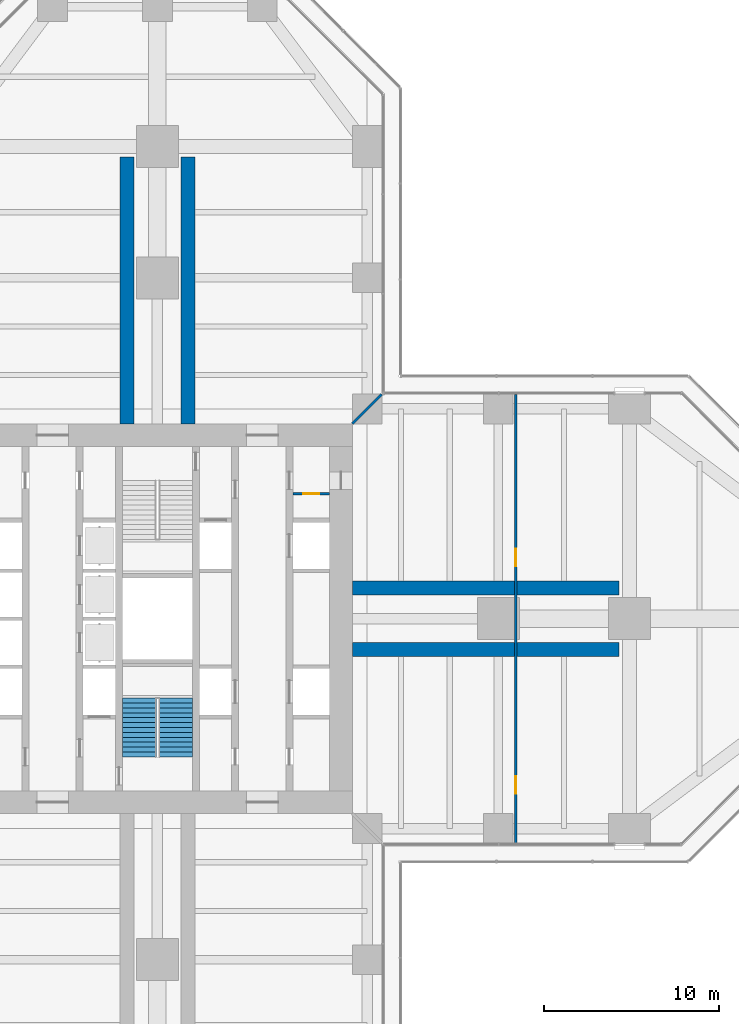
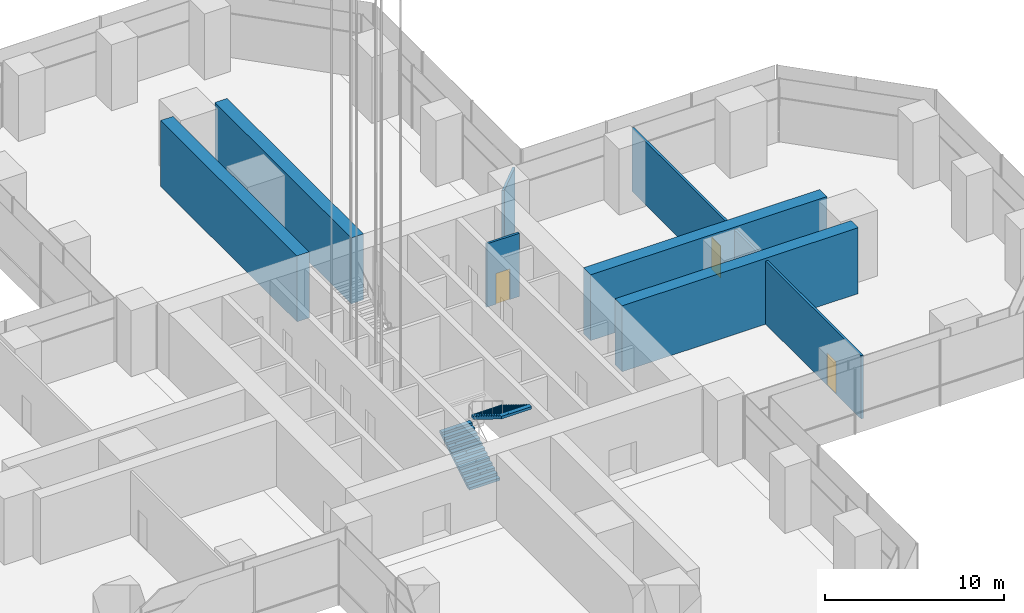
# One storey, part 18 of 27: 7 walls, 3 doors, 2 stair flights, 3 openings, 1 element without a shape of its own.
"""IFC4 building model written with IfcOpenShell, lengths in metres."""

from ifc_helpers import new_model, si_unit, direction, frame, frame_2d, origin, place, context, subcontext, project, spatial, polyline, rectangle, outline, extrude, material, layer, layer_set, type_object, element, fill, aggregate, save


model = new_model("IFC4")

# Units and contexts
model_context = context("Model", 3, precision=1e-05, world=origin(), true_north=direction((0.0, 1.0)))
body_context = subcontext(model_context, "Body", "Model", "MODEL_VIEW")
ifc_project = project(units=[si_unit("LENGTHUNIT", "METRE"), si_unit("AREAUNIT", "SQUARE_METRE"), si_unit("VOLUMEUNIT", "CUBIC_METRE"), si_unit("PLANEANGLEUNIT", "RADIAN"), si_unit("MASSUNIT", "GRAM", prefix="KILO")], contexts=[model_context])

# Site, building, storey
site_placement = place(None, origin())
site = spatial("IfcSite", under=ifc_project, at=site_placement, CompositionType="ELEMENT")
building_placement = place(site_placement, origin())
building = spatial("IfcBuilding", under=site, at=building_placement, Name="Mizan Broadcast Tower", CompositionType="ELEMENT")
storey_placement = place(building_placement, frame((0.0, 0.0, 113.699951171875)))
storey = spatial("IfcBuildingStorey", under=building, at=storey_placement, Name="L25", CompositionType="ELEMENT", Elevation=113.699951171875)

# Wall, opening, door
ifc_material_1 = material(Name="Concrete blockwork", Category="masonry")
ifc_layer_1 = layer(ifc_material_1, 0.14990234375)
ifc_layer_set_1 = layer_set([ifc_layer_1], Name="Concrete blockwork")
wall_type_1 = type_object("IfcWallType", Name="CORE PARTITION 150", PredefinedType="SOLIDWALL", material=ifc_layer_set_1)
wall_1_placement = place(storey_placement, frame((9.85009765625, 7.14990234375, 0.0), z_axis=(0.0, 0.0, 1.0), x_axis=(-1.0, 0.0, 0.0)))
wall_1 = element("IfcWall", 1, at=wall_1_placement, inside=storey, type_object=wall_type_1, Name="Core partition CORE/XPE", PredefinedType="SOLIDWALL", context=body_context, shape_type="SweptSolid", body=[
    extrude(rectangle(XDim=2.10009765625, YDim=0.14990234375, at=frame_2d((1.050048828125, 0.0))), origin(), (0.0, 0.0, 1.0), 4.320068359375),
])
opening_1_placement = place(wall_1_placement, frame((0.60009765625, 0.0, 0.0)))
opening_1 = element("IfcOpeningElement", 2, at=opening_1_placement, cuts=wall_1, Name="Opening D09F", PredefinedType="OPENING", context=body_context, shape_type="SweptSolid", body=[
    extrude(rectangle(XDim=0.89990234375, YDim=2.10009765625, at=frame_2d((0.449951171875, 1.050048828125))), frame((0.0, 0.0849609375, 0.0), z_axis=(0.0, -1.0, 0.0), x_axis=(1.0, 0.0, 0.0)), (0.0, 0.0, 1.0), 0.169921875),
])
ifc_material_2 = material(Name="Steel door leaf in steel frame", Category="steel")
door_type_1 = type_object("IfcDoorType", Name="CORE ROOM DOOR 900 FD90", OperationType="SINGLE_SWING_LEFT", PredefinedType="DOOR", material=ifc_material_2)
door_1_placement = place(opening_1_placement, origin())
door_1 = element("IfcDoor", 3, at=door_1_placement, inside=storey, type_object=door_type_1, Name="Comms cupboard door", OperationType="SINGLE_SWING_RIGHT", OverallHeight=2.10009765625, OverallWidth=0.89990234375, PredefinedType="DOOR", context=body_context, shape_type="SweptSolid", body=[
    extrude(rectangle(XDim=0.89990234375, YDim=2.10009765625, at=frame_2d((0.449951171875, 1.050048828125))), frame((0.0, 0.02490234375, 0.0), z_axis=(0.0, -1.0, 0.0), x_axis=(1.0, 0.0, 0.0)), (0.0, 0.0, 1.0), 0.050048828125),
])
fill(opening_1, door_1)

# Wall, openings, doors
ifc_material_3 = material(Name="Gypsum board on steel studs", Category="steel")
ifc_layer_2 = layer(ifc_material_3, 0.14990234375)
ifc_layer_set_2 = layer_set([ifc_layer_2], Name="Gypsum board on steel studs")
wall_type_2 = type_object("IfcWallType", Name="PARTITION 150", PredefinedType="PARTITIONING", material=ifc_layer_set_2)
wall_2_placement = place(storey_placement, frame((20.5, -12.820068359375, 0.0), z_axis=(0.0, 0.0, 1.0), x_axis=(0.0, 1.0, 0.0)))
wall_2 = element("IfcWall", 4, at=wall_2_placement, inside=storey, type_object=wall_type_2, Name="Partition PT/EX1", PredefinedType="PARTITIONING", context=body_context, shape_type="SweptSolid", body=[
    extrude(rectangle(XDim=25.64013671875, YDim=0.14990234375, at=frame_2d((12.820068359375, 0.0))), origin(), (0.0, 0.0, 1.0), 4.320068359375),
])
opening_2_placement = place(wall_2_placement, frame((15.820068359375, 0.0, 0.0)))
opening_2 = element("IfcOpeningElement", 5, at=opening_2_placement, cuts=wall_2, Name="Opening D10", PredefinedType="OPENING", context=body_context, shape_type="SweptSolid", body=[
    extrude(rectangle(XDim=1.0, YDim=2.199951171875, at=frame_2d((0.5, 1.10009765625))), frame((0.0, 0.0849609375, 0.0), z_axis=(0.0, -1.0, 0.0), x_axis=(1.0, 0.0, 0.0)), (0.0, 0.0, 1.0), 0.169921875),
])
opening_3_placement = place(wall_2_placement, frame((2.820068359375, 0.0, 0.0)))
opening_3 = element("IfcOpeningElement", 6, at=opening_3_placement, cuts=wall_2, Name="Opening D10", PredefinedType="OPENING", context=body_context, shape_type="SweptSolid", body=[
    extrude(rectangle(XDim=1.0, YDim=2.199951171875, at=frame_2d((0.5, 1.10009765625))), frame((0.0, 0.0849609375, 0.0), z_axis=(0.0, -1.0, 0.0), x_axis=(1.0, 0.0, 0.0)), (0.0, 0.0, 1.0), 0.169921875),
])
ifc_material_4 = material(Name="Timber door leaf in aluminium frame", Category="wood")
door_type_2 = type_object("IfcDoorType", Name="ROOM DOOR 1000", OperationType="SINGLE_SWING_LEFT", PredefinedType="DOOR", material=ifc_material_4)
door_2_placement = place(opening_2_placement, origin())
door_2 = element("IfcDoor", 7, at=door_2_placement, inside=storey, type_object=door_type_2, Name="Business centre office door", OperationType="SINGLE_SWING_RIGHT", OverallHeight=2.199951171875, OverallWidth=1.0, PredefinedType="DOOR", context=body_context, shape_type="SweptSolid", body=[
    extrude(rectangle(XDim=1.0, YDim=2.199951171875, at=frame_2d((0.5, 1.10009765625))), frame((0.0, 0.02490234375, 0.0), z_axis=(0.0, -1.0, 0.0), x_axis=(1.0, 0.0, 0.0)), (0.0, 0.0, 1.0), 0.050048828125),
])
fill(opening_2, door_2)
door_3_placement = place(opening_3_placement, origin())
door_3 = element("IfcDoor", 8, at=door_3_placement, inside=storey, type_object=door_type_2, Name="Business centre office door", OperationType="SINGLE_SWING_LEFT", OverallHeight=2.199951171875, OverallWidth=1.0, PredefinedType="DOOR", context=body_context, shape_type="SweptSolid", body=[
    extrude(rectangle(XDim=1.0, YDim=2.199951171875, at=frame_2d((0.5, 1.10009765625))), frame((0.0, 0.02490234375, 0.0), z_axis=(0.0, -1.0, 0.0), x_axis=(1.0, 0.0, 0.0)), (0.0, 0.0, 1.0), 0.050048828125),
])
fill(opening_3, door_3)

# Walls
wall_3_placement = place(storey_placement, frame((11.14990234375, 11.14990234375, 0.0), z_axis=(0.0, 0.0, 1.0), x_axis=(0.707106781187, 0.707106781187, 0.0)))
element("IfcWall", 9, at=wall_3_placement, inside=storey, type_object=wall_type_2, Name="Partition PT/DGEN", PredefinedType="PARTITIONING", context=body_context, shape_type="SweptSolid", body=[
    extrude(rectangle(XDim=2.362060546875, YDim=0.14990234375, at=frame_2d((1.18115234375, 0.0))), origin(), (0.0, 0.0, 1.0), 4.320068359375),
])
ifc_material_5 = material(Name="Concrete C70/85", Category="concrete")
ifc_layer_3 = layer(ifc_material_5, 0.800048828125)
ifc_layer_set_3 = layer_set([ifc_layer_3], Name="Concrete C70/85")
wall_type_3 = type_object("IfcWallType", Name="SPINE WALL 800", PredefinedType="SHEAR", material=ifc_layer_set_3)
for number, where, z_axis, x_axis, name in (
    (10, (11.14990234375, -1.75, 0.0), (0.0, 0.0, 1.0), (1.0, 0.0, 0.0), "Spine wall ER L25"),
    (11, (11.14990234375, 1.75, 0.0), (0.0, 0.0, 1.0), (1.0, 0.0, 0.0), "Spine wall EL L25"),
    (12, (1.75, 11.14990234375, 0.0), (0.0, 0.0, 1.0), (0.0, 1.0, 0.0), "Spine wall NR L25"),
    (13, (-1.75, 11.14990234375, 0.0), (0.0, 0.0, 1.0), (0.0, 1.0, 0.0), "Spine wall NL L25"),
):
    element("IfcWall", number, at=place(storey_placement, frame(where, z_axis=z_axis, x_axis=x_axis)), inside=storey, type_object=wall_type_3, Name=name, PredefinedType="SHEAR", context=body_context, shape_type="SweptSolid", body=[
        extrude(rectangle(XDim=15.25, YDim=0.800048828125, at=frame_2d((7.625, 0.0))), origin(), (0.0, 0.0, 1.0), 4.5),
    ])

# Stair, stair flights
ifc_material_6 = material(Name="Concrete C40/50", Category="concrete")
stair_type = type_object("IfcStairType", Name="EXIT STAIR", PredefinedType="HALF_TURN_STAIR", material=ifc_material_6)
stair_placement = place(storey_placement, origin())
stair = element("IfcStair", 14, at=stair_placement, inside=storey, type_object=stair_type, Name="Stair A L25", PredefinedType="HALF_TURN_STAIR")
ifc_material_7 = material(Name="Concrete C40/50", Category="concrete")
stair_flight_type = type_object("IfcStairFlightType", Name="EXIT STAIR FLIGHT", PredefinedType="STRAIGHT", material=ifc_material_7)
stair_flight_1_placement = place(storey_placement, frame((-1.02490234375, -7.89990234375, 0.0), z_axis=(0.0, 0.0, 1.0), x_axis=(0.0, 1.0, 0.0)))
stair_flight_1 = element("IfcStairFlight", 15, at=stair_flight_1_placement, type_object=stair_flight_type, Name="A flight 1", NumberOfRisers=13, NumberOfTreads=12, PredefinedType="STRAIGHT", RiserHeight=0.173076923, TreadLength=0.28, context=body_context, shape_type="SweptSolid", body=[
    extrude(outline(polyline([(0.0, 0.0), (0.0, 0.173095703125), (0.280029296875, 0.173095703125), (0.280029296875, 0.34619140625), (0.56005859375, 0.34619140625), (0.56005859375, 0.519287109375), (0.840087890625, 0.519287109375), (0.840087890625, 0.6923828125), (1.1201171875, 0.6923828125), (1.1201171875, 0.865478515625), (1.39990234375, 0.865478515625), (1.39990234375, 1.03857421875), (1.679931640625, 1.03857421875), (1.679931640625, 1.21142578125), (1.9599609375, 1.21142578125), (1.9599609375, 1.384521484375), (2.239990234375, 1.384521484375), (2.239990234375, 1.5576171875), (2.52001953125, 1.5576171875), (2.52001953125, 1.730712890625), (2.800048828125, 1.730712890625), (2.800048828125, 1.90380859375), (3.080078125, 1.90380859375), (3.080078125, 2.076904296875), (3.360107421875, 2.076904296875), (3.360107421875, 2.25), (3.360107421875, 1.900634765625), (0.28515625, 0.0), (0.0, 0.0)])), frame((0.0, 0.97509765625, 0.0), z_axis=(0.0, -1.0, 0.0), x_axis=(1.0, 0.0, 0.0)), (0.0, 0.0, 1.0), 0.4873046875),
    extrude(outline(polyline([(0.0, 0.0), (0.0, 0.173095703125), (0.280029296875, 0.173095703125), (0.280029296875, 0.34619140625), (0.56005859375, 0.34619140625), (0.56005859375, 0.519287109375), (0.840087890625, 0.519287109375), (0.840087890625, 0.6923828125), (1.1201171875, 0.6923828125), (1.1201171875, 0.865478515625), (1.39990234375, 0.865478515625), (1.39990234375, 1.03857421875), (1.679931640625, 1.03857421875), (1.679931640625, 1.21142578125), (1.9599609375, 1.21142578125), (1.9599609375, 1.384521484375), (2.239990234375, 1.384521484375), (2.239990234375, 1.5576171875), (2.52001953125, 1.5576171875), (2.52001953125, 1.730712890625), (2.800048828125, 1.730712890625), (2.800048828125, 1.90380859375), (3.080078125, 1.90380859375), (3.080078125, 2.076904296875), (3.360107421875, 2.076904296875), (3.360107421875, 2.25), (3.360107421875, 1.900634765625), (0.28515625, 0.0), (0.0, 0.0)])), frame((0.0, 0.4873046875, 0.0), z_axis=(0.0, -1.0, 0.0), x_axis=(1.0, 0.0, 0.0)), (0.0, 0.0, 1.0), 0.2431640625),
    extrude(outline(polyline([(0.0, 0.0), (0.0, 0.173095703125), (0.280029296875, 0.173095703125), (0.280029296875, 0.34619140625), (0.56005859375, 0.34619140625), (0.56005859375, 0.519287109375), (0.840087890625, 0.519287109375), (0.840087890625, 0.6923828125), (1.1201171875, 0.6923828125), (1.1201171875, 0.865478515625), (1.39990234375, 0.865478515625), (1.39990234375, 1.03857421875), (1.679931640625, 1.03857421875), (1.679931640625, 1.21142578125), (1.9599609375, 1.21142578125), (1.9599609375, 1.384521484375), (2.239990234375, 1.384521484375), (2.239990234375, 1.5576171875), (2.52001953125, 1.5576171875), (2.52001953125, 1.730712890625), (2.800048828125, 1.730712890625), (2.800048828125, 1.90380859375), (3.080078125, 1.90380859375), (3.080078125, 2.076904296875), (3.360107421875, 2.076904296875), (3.360107421875, 2.25), (3.360107421875, 1.900634765625), (0.28515625, 0.0), (0.0, 0.0)])), frame((0.0, 0.24365234375, 0.0), z_axis=(0.0, -1.0, 0.0), x_axis=(1.0, 0.0, 0.0)), (0.0, 0.0, 1.0), 0.121337890625),
    extrude(outline(polyline([(0.0, 0.0), (0.0, 0.173095703125), (0.280029296875, 0.173095703125), (0.280029296875, 0.34619140625), (0.56005859375, 0.34619140625), (0.56005859375, 0.519287109375), (0.840087890625, 0.519287109375), (0.840087890625, 0.6923828125), (1.1201171875, 0.6923828125), (1.1201171875, 0.865478515625), (1.39990234375, 0.865478515625), (1.39990234375, 1.03857421875), (1.679931640625, 1.03857421875), (1.679931640625, 1.21142578125), (1.9599609375, 1.21142578125), (1.9599609375, 1.384521484375), (2.239990234375, 1.384521484375), (2.239990234375, 1.5576171875), (2.52001953125, 1.5576171875), (2.52001953125, 1.730712890625), (2.800048828125, 1.730712890625), (2.800048828125, 1.90380859375), (3.080078125, 1.90380859375), (3.080078125, 2.076904296875), (3.360107421875, 2.076904296875), (3.360107421875, 2.25), (3.360107421875, 1.900634765625), (0.28515625, 0.0), (0.0, 0.0)])), frame((0.0, 0.121826171875, 0.0), z_axis=(0.0, -1.0, 0.0), x_axis=(1.0, 0.0, 0.0)), (0.0, 0.0, 1.0), 0.060546875),
    extrude(outline(polyline([(0.0, 0.0), (0.0, 0.173095703125), (0.280029296875, 0.173095703125), (0.280029296875, 0.34619140625), (0.56005859375, 0.34619140625), (0.56005859375, 0.519287109375), (0.840087890625, 0.519287109375), (0.840087890625, 0.6923828125), (1.1201171875, 0.6923828125), (1.1201171875, 0.865478515625), (1.39990234375, 0.865478515625), (1.39990234375, 1.03857421875), (1.679931640625, 1.03857421875), (1.679931640625, 1.21142578125), (1.9599609375, 1.21142578125), (1.9599609375, 1.384521484375), (2.239990234375, 1.384521484375), (2.239990234375, 1.5576171875), (2.52001953125, 1.5576171875), (2.52001953125, 1.730712890625), (2.800048828125, 1.730712890625), (2.800048828125, 1.90380859375), (3.080078125, 1.90380859375), (3.080078125, 2.076904296875), (3.360107421875, 2.076904296875), (3.360107421875, 2.25), (3.360107421875, 1.900634765625), (0.28515625, 0.0), (0.0, 0.0)])), frame((0.0, 0.060791015625, 0.0), z_axis=(0.0, -1.0, 0.0), x_axis=(1.0, 0.0, 0.0)), (0.0, 0.0, 1.0), 0.030029296875),
    extrude(outline(polyline([(0.0, 0.0), (0.0, 0.173095703125), (0.280029296875, 0.173095703125), (0.280029296875, 0.34619140625), (0.56005859375, 0.34619140625), (0.56005859375, 0.519287109375), (0.840087890625, 0.519287109375), (0.840087890625, 0.6923828125), (1.1201171875, 0.6923828125), (1.1201171875, 0.865478515625), (1.39990234375, 0.865478515625), (1.39990234375, 1.03857421875), (1.679931640625, 1.03857421875), (1.679931640625, 1.21142578125), (1.9599609375, 1.21142578125), (1.9599609375, 1.384521484375), (2.239990234375, 1.384521484375), (2.239990234375, 1.5576171875), (2.52001953125, 1.5576171875), (2.52001953125, 1.730712890625), (2.800048828125, 1.730712890625), (2.800048828125, 1.90380859375), (3.080078125, 1.90380859375), (3.080078125, 2.076904296875), (3.360107421875, 2.076904296875), (3.360107421875, 2.25), (3.360107421875, 1.900634765625), (0.28515625, 0.0), (0.0, 0.0)])), frame((0.0, 0.0302734375, 0.0), z_axis=(0.0, -1.0, 0.0), x_axis=(1.0, 0.0, 0.0)), (0.0, 0.0, 1.0), 0.060302734375),
    extrude(outline(polyline([(0.0, 0.0), (0.0, 0.173095703125), (0.280029296875, 0.173095703125), (0.280029296875, 0.34619140625), (0.56005859375, 0.34619140625), (0.56005859375, 0.519287109375), (0.840087890625, 0.519287109375), (0.840087890625, 0.6923828125), (1.1201171875, 0.6923828125), (1.1201171875, 0.865478515625), (1.39990234375, 0.865478515625), (1.39990234375, 1.03857421875), (1.679931640625, 1.03857421875), (1.679931640625, 1.21142578125), (1.9599609375, 1.21142578125), (1.9599609375, 1.384521484375), (2.239990234375, 1.384521484375), (2.239990234375, 1.5576171875), (2.52001953125, 1.5576171875), (2.52001953125, 1.730712890625), (2.800048828125, 1.730712890625), (2.800048828125, 1.90380859375), (3.080078125, 1.90380859375), (3.080078125, 2.076904296875), (3.360107421875, 2.076904296875), (3.360107421875, 2.25), (3.360107421875, 1.900634765625), (0.28515625, 0.0), (0.0, 0.0)])), frame((0.0, -0.030517578125, 0.0), z_axis=(0.0, -1.0, 0.0), x_axis=(1.0, 0.0, 0.0)), (0.0, 0.0, 1.0), 0.030029296875),
    extrude(outline(polyline([(0.0, 0.0), (0.0, 0.173095703125), (0.280029296875, 0.173095703125), (0.280029296875, 0.34619140625), (0.56005859375, 0.34619140625), (0.56005859375, 0.519287109375), (0.840087890625, 0.519287109375), (0.840087890625, 0.6923828125), (1.1201171875, 0.6923828125), (1.1201171875, 0.865478515625), (1.39990234375, 0.865478515625), (1.39990234375, 1.03857421875), (1.679931640625, 1.03857421875), (1.679931640625, 1.21142578125), (1.9599609375, 1.21142578125), (1.9599609375, 1.384521484375), (2.239990234375, 1.384521484375), (2.239990234375, 1.5576171875), (2.52001953125, 1.5576171875), (2.52001953125, 1.730712890625), (2.800048828125, 1.730712890625), (2.800048828125, 1.90380859375), (3.080078125, 1.90380859375), (3.080078125, 2.076904296875), (3.360107421875, 2.076904296875), (3.360107421875, 2.25), (3.360107421875, 1.900634765625), (0.28515625, 0.0), (0.0, 0.0)])), frame((0.0, -0.06103515625, 0.0), z_axis=(0.0, -1.0, 0.0), x_axis=(1.0, 0.0, 0.0)), (0.0, 0.0, 1.0), 0.060546875),
    extrude(outline(polyline([(0.0, 0.0), (0.0, 0.173095703125), (0.280029296875, 0.173095703125), (0.280029296875, 0.34619140625), (0.56005859375, 0.34619140625), (0.56005859375, 0.519287109375), (0.840087890625, 0.519287109375), (0.840087890625, 0.6923828125), (1.1201171875, 0.6923828125), (1.1201171875, 0.865478515625), (1.39990234375, 0.865478515625), (1.39990234375, 1.03857421875), (1.679931640625, 1.03857421875), (1.679931640625, 1.21142578125), (1.9599609375, 1.21142578125), (1.9599609375, 1.384521484375), (2.239990234375, 1.384521484375), (2.239990234375, 1.5576171875), (2.52001953125, 1.5576171875), (2.52001953125, 1.730712890625), (2.800048828125, 1.730712890625), (2.800048828125, 1.90380859375), (3.080078125, 1.90380859375), (3.080078125, 2.076904296875), (3.360107421875, 2.076904296875), (3.360107421875, 2.25), (3.360107421875, 1.900634765625), (0.28515625, 0.0), (0.0, 0.0)])), frame((0.0, -0.1220703125, 0.0), z_axis=(0.0, -1.0, 0.0), x_axis=(1.0, 0.0, 0.0)), (0.0, 0.0, 1.0), 0.121337890625),
    extrude(outline(polyline([(0.0, 0.0), (0.0, 0.173095703125), (0.280029296875, 0.173095703125), (0.280029296875, 0.34619140625), (0.56005859375, 0.34619140625), (0.56005859375, 0.519287109375), (0.840087890625, 0.519287109375), (0.840087890625, 0.6923828125), (1.1201171875, 0.6923828125), (1.1201171875, 0.865478515625), (1.39990234375, 0.865478515625), (1.39990234375, 1.03857421875), (1.679931640625, 1.03857421875), (1.679931640625, 1.21142578125), (1.9599609375, 1.21142578125), (1.9599609375, 1.384521484375), (2.239990234375, 1.384521484375), (2.239990234375, 1.5576171875), (2.52001953125, 1.5576171875), (2.52001953125, 1.730712890625), (2.800048828125, 1.730712890625), (2.800048828125, 1.90380859375), (3.080078125, 1.90380859375), (3.080078125, 2.076904296875), (3.360107421875, 2.076904296875), (3.360107421875, 2.25), (3.360107421875, 1.900634765625), (0.28515625, 0.0), (0.0, 0.0)])), frame((0.0, -0.243896484375, 0.0), z_axis=(0.0, -1.0, 0.0), x_axis=(1.0, 0.0, 0.0)), (0.0, 0.0, 1.0), 0.2431640625),
    extrude(outline(polyline([(0.0, 0.0), (0.0, 0.173095703125), (0.280029296875, 0.173095703125), (0.280029296875, 0.34619140625), (0.56005859375, 0.34619140625), (0.56005859375, 0.519287109375), (0.840087890625, 0.519287109375), (0.840087890625, 0.6923828125), (1.1201171875, 0.6923828125), (1.1201171875, 0.865478515625), (1.39990234375, 0.865478515625), (1.39990234375, 1.03857421875), (1.679931640625, 1.03857421875), (1.679931640625, 1.21142578125), (1.9599609375, 1.21142578125), (1.9599609375, 1.384521484375), (2.239990234375, 1.384521484375), (2.239990234375, 1.5576171875), (2.52001953125, 1.5576171875), (2.52001953125, 1.730712890625), (2.800048828125, 1.730712890625), (2.800048828125, 1.90380859375), (3.080078125, 1.90380859375), (3.080078125, 2.076904296875), (3.360107421875, 2.076904296875), (3.360107421875, 2.25), (3.360107421875, 1.900634765625), (0.28515625, 0.0), (0.0, 0.0)])), frame((0.0, -0.487548828125, 0.0), z_axis=(0.0, -1.0, 0.0), x_axis=(1.0, 0.0, 0.0)), (0.0, 0.0, 1.0), 0.4873046875),
])
stair_flight_2_placement = place(storey_placement, frame((1.02490234375, -4.5400390625, 2.25), z_axis=(0.0, 0.0, 1.0), x_axis=(0.0, -1.0, 0.0)))
stair_flight_2 = element("IfcStairFlight", 16, at=stair_flight_2_placement, type_object=stair_flight_type, Name="A flight 2", NumberOfRisers=13, NumberOfTreads=12, PredefinedType="STRAIGHT", RiserHeight=0.173076923, TreadLength=0.28, context=body_context, shape_type="SweptSolid", body=[
    extrude(outline(polyline([(0.0, 0.0), (0.0, 0.173095703125), (0.280029296875, 0.173095703125), (0.280029296875, 0.34619140625), (0.56005859375, 0.34619140625), (0.56005859375, 0.519287109375), (0.840087890625, 0.519287109375), (0.840087890625, 0.6923828125), (1.1201171875, 0.6923828125), (1.1201171875, 0.865478515625), (1.39990234375, 0.865478515625), (1.39990234375, 1.03857421875), (1.679931640625, 1.03857421875), (1.679931640625, 1.21142578125), (1.9599609375, 1.21142578125), (1.9599609375, 1.384521484375), (2.239990234375, 1.384521484375), (2.239990234375, 1.5576171875), (2.52001953125, 1.5576171875), (2.52001953125, 1.730712890625), (2.800048828125, 1.730712890625), (2.800048828125, 1.90380859375), (3.080078125, 1.90380859375), (3.080078125, 2.076904296875), (3.360107421875, 2.076904296875), (3.360107421875, 2.25), (3.360107421875, 1.900634765625), (0.28515625, 0.0), (0.0, 0.0)])), frame((0.0, 0.97509765625, 0.0), z_axis=(0.0, -1.0, 0.0), x_axis=(1.0, 0.0, 0.0)), (0.0, 0.0, 1.0), 0.4873046875),
    extrude(outline(polyline([(0.0, 0.0), (0.0, 0.173095703125), (0.280029296875, 0.173095703125), (0.280029296875, 0.34619140625), (0.56005859375, 0.34619140625), (0.56005859375, 0.519287109375), (0.840087890625, 0.519287109375), (0.840087890625, 0.6923828125), (1.1201171875, 0.6923828125), (1.1201171875, 0.865478515625), (1.39990234375, 0.865478515625), (1.39990234375, 1.03857421875), (1.679931640625, 1.03857421875), (1.679931640625, 1.21142578125), (1.9599609375, 1.21142578125), (1.9599609375, 1.384521484375), (2.239990234375, 1.384521484375), (2.239990234375, 1.5576171875), (2.52001953125, 1.5576171875), (2.52001953125, 1.730712890625), (2.800048828125, 1.730712890625), (2.800048828125, 1.90380859375), (3.080078125, 1.90380859375), (3.080078125, 2.076904296875), (3.360107421875, 2.076904296875), (3.360107421875, 2.25), (3.360107421875, 1.900634765625), (0.28515625, 0.0), (0.0, 0.0)])), frame((0.0, 0.4873046875, 0.0), z_axis=(0.0, -1.0, 0.0), x_axis=(1.0, 0.0, 0.0)), (0.0, 0.0, 1.0), 0.2431640625),
    extrude(outline(polyline([(0.0, 0.0), (0.0, 0.173095703125), (0.280029296875, 0.173095703125), (0.280029296875, 0.34619140625), (0.56005859375, 0.34619140625), (0.56005859375, 0.519287109375), (0.840087890625, 0.519287109375), (0.840087890625, 0.6923828125), (1.1201171875, 0.6923828125), (1.1201171875, 0.865478515625), (1.39990234375, 0.865478515625), (1.39990234375, 1.03857421875), (1.679931640625, 1.03857421875), (1.679931640625, 1.21142578125), (1.9599609375, 1.21142578125), (1.9599609375, 1.384521484375), (2.239990234375, 1.384521484375), (2.239990234375, 1.5576171875), (2.52001953125, 1.5576171875), (2.52001953125, 1.730712890625), (2.800048828125, 1.730712890625), (2.800048828125, 1.90380859375), (3.080078125, 1.90380859375), (3.080078125, 2.076904296875), (3.360107421875, 2.076904296875), (3.360107421875, 2.25), (3.360107421875, 1.900634765625), (0.28515625, 0.0), (0.0, 0.0)])), frame((0.0, 0.24365234375, 0.0), z_axis=(0.0, -1.0, 0.0), x_axis=(1.0, 0.0, 0.0)), (0.0, 0.0, 1.0), 0.121337890625),
    extrude(outline(polyline([(0.0, 0.0), (0.0, 0.173095703125), (0.280029296875, 0.173095703125), (0.280029296875, 0.34619140625), (0.56005859375, 0.34619140625), (0.56005859375, 0.519287109375), (0.840087890625, 0.519287109375), (0.840087890625, 0.6923828125), (1.1201171875, 0.6923828125), (1.1201171875, 0.865478515625), (1.39990234375, 0.865478515625), (1.39990234375, 1.03857421875), (1.679931640625, 1.03857421875), (1.679931640625, 1.21142578125), (1.9599609375, 1.21142578125), (1.9599609375, 1.384521484375), (2.239990234375, 1.384521484375), (2.239990234375, 1.5576171875), (2.52001953125, 1.5576171875), (2.52001953125, 1.730712890625), (2.800048828125, 1.730712890625), (2.800048828125, 1.90380859375), (3.080078125, 1.90380859375), (3.080078125, 2.076904296875), (3.360107421875, 2.076904296875), (3.360107421875, 2.25), (3.360107421875, 1.900634765625), (0.28515625, 0.0), (0.0, 0.0)])), frame((0.0, 0.121826171875, 0.0), z_axis=(0.0, -1.0, 0.0), x_axis=(1.0, 0.0, 0.0)), (0.0, 0.0, 1.0), 0.060546875),
    extrude(outline(polyline([(0.0, 0.0), (0.0, 0.173095703125), (0.280029296875, 0.173095703125), (0.280029296875, 0.34619140625), (0.56005859375, 0.34619140625), (0.56005859375, 0.519287109375), (0.840087890625, 0.519287109375), (0.840087890625, 0.6923828125), (1.1201171875, 0.6923828125), (1.1201171875, 0.865478515625), (1.39990234375, 0.865478515625), (1.39990234375, 1.03857421875), (1.679931640625, 1.03857421875), (1.679931640625, 1.21142578125), (1.9599609375, 1.21142578125), (1.9599609375, 1.384521484375), (2.239990234375, 1.384521484375), (2.239990234375, 1.5576171875), (2.52001953125, 1.5576171875), (2.52001953125, 1.730712890625), (2.800048828125, 1.730712890625), (2.800048828125, 1.90380859375), (3.080078125, 1.90380859375), (3.080078125, 2.076904296875), (3.360107421875, 2.076904296875), (3.360107421875, 2.25), (3.360107421875, 1.900634765625), (0.28515625, 0.0), (0.0, 0.0)])), frame((0.0, 0.060791015625, 0.0), z_axis=(0.0, -1.0, 0.0), x_axis=(1.0, 0.0, 0.0)), (0.0, 0.0, 1.0), 0.030029296875),
    extrude(outline(polyline([(0.0, 0.0), (0.0, 0.173095703125), (0.280029296875, 0.173095703125), (0.280029296875, 0.34619140625), (0.56005859375, 0.34619140625), (0.56005859375, 0.519287109375), (0.840087890625, 0.519287109375), (0.840087890625, 0.6923828125), (1.1201171875, 0.6923828125), (1.1201171875, 0.865478515625), (1.39990234375, 0.865478515625), (1.39990234375, 1.03857421875), (1.679931640625, 1.03857421875), (1.679931640625, 1.21142578125), (1.9599609375, 1.21142578125), (1.9599609375, 1.384521484375), (2.239990234375, 1.384521484375), (2.239990234375, 1.5576171875), (2.52001953125, 1.5576171875), (2.52001953125, 1.730712890625), (2.800048828125, 1.730712890625), (2.800048828125, 1.90380859375), (3.080078125, 1.90380859375), (3.080078125, 2.076904296875), (3.360107421875, 2.076904296875), (3.360107421875, 2.25), (3.360107421875, 1.900634765625), (0.28515625, 0.0), (0.0, 0.0)])), frame((0.0, 0.0302734375, 0.0), z_axis=(0.0, -1.0, 0.0), x_axis=(1.0, 0.0, 0.0)), (0.0, 0.0, 1.0), 0.060302734375),
    extrude(outline(polyline([(0.0, 0.0), (0.0, 0.173095703125), (0.280029296875, 0.173095703125), (0.280029296875, 0.34619140625), (0.56005859375, 0.34619140625), (0.56005859375, 0.519287109375), (0.840087890625, 0.519287109375), (0.840087890625, 0.6923828125), (1.1201171875, 0.6923828125), (1.1201171875, 0.865478515625), (1.39990234375, 0.865478515625), (1.39990234375, 1.03857421875), (1.679931640625, 1.03857421875), (1.679931640625, 1.21142578125), (1.9599609375, 1.21142578125), (1.9599609375, 1.384521484375), (2.239990234375, 1.384521484375), (2.239990234375, 1.5576171875), (2.52001953125, 1.5576171875), (2.52001953125, 1.730712890625), (2.800048828125, 1.730712890625), (2.800048828125, 1.90380859375), (3.080078125, 1.90380859375), (3.080078125, 2.076904296875), (3.360107421875, 2.076904296875), (3.360107421875, 2.25), (3.360107421875, 1.900634765625), (0.28515625, 0.0), (0.0, 0.0)])), frame((0.0, -0.030517578125, 0.0), z_axis=(0.0, -1.0, 0.0), x_axis=(1.0, 0.0, 0.0)), (0.0, 0.0, 1.0), 0.030029296875),
    extrude(outline(polyline([(0.0, 0.0), (0.0, 0.173095703125), (0.280029296875, 0.173095703125), (0.280029296875, 0.34619140625), (0.56005859375, 0.34619140625), (0.56005859375, 0.519287109375), (0.840087890625, 0.519287109375), (0.840087890625, 0.6923828125), (1.1201171875, 0.6923828125), (1.1201171875, 0.865478515625), (1.39990234375, 0.865478515625), (1.39990234375, 1.03857421875), (1.679931640625, 1.03857421875), (1.679931640625, 1.21142578125), (1.9599609375, 1.21142578125), (1.9599609375, 1.384521484375), (2.239990234375, 1.384521484375), (2.239990234375, 1.5576171875), (2.52001953125, 1.5576171875), (2.52001953125, 1.730712890625), (2.800048828125, 1.730712890625), (2.800048828125, 1.90380859375), (3.080078125, 1.90380859375), (3.080078125, 2.076904296875), (3.360107421875, 2.076904296875), (3.360107421875, 2.25), (3.360107421875, 1.900634765625), (0.28515625, 0.0), (0.0, 0.0)])), frame((0.0, -0.06103515625, 0.0), z_axis=(0.0, -1.0, 0.0), x_axis=(1.0, 0.0, 0.0)), (0.0, 0.0, 1.0), 0.060546875),
    extrude(outline(polyline([(0.0, 0.0), (0.0, 0.173095703125), (0.280029296875, 0.173095703125), (0.280029296875, 0.34619140625), (0.56005859375, 0.34619140625), (0.56005859375, 0.519287109375), (0.840087890625, 0.519287109375), (0.840087890625, 0.6923828125), (1.1201171875, 0.6923828125), (1.1201171875, 0.865478515625), (1.39990234375, 0.865478515625), (1.39990234375, 1.03857421875), (1.679931640625, 1.03857421875), (1.679931640625, 1.21142578125), (1.9599609375, 1.21142578125), (1.9599609375, 1.384521484375), (2.239990234375, 1.384521484375), (2.239990234375, 1.5576171875), (2.52001953125, 1.5576171875), (2.52001953125, 1.730712890625), (2.800048828125, 1.730712890625), (2.800048828125, 1.90380859375), (3.080078125, 1.90380859375), (3.080078125, 2.076904296875), (3.360107421875, 2.076904296875), (3.360107421875, 2.25), (3.360107421875, 1.900634765625), (0.28515625, 0.0), (0.0, 0.0)])), frame((0.0, -0.1220703125, 0.0), z_axis=(0.0, -1.0, 0.0), x_axis=(1.0, 0.0, 0.0)), (0.0, 0.0, 1.0), 0.121337890625),
    extrude(outline(polyline([(0.0, 0.0), (0.0, 0.173095703125), (0.280029296875, 0.173095703125), (0.280029296875, 0.34619140625), (0.56005859375, 0.34619140625), (0.56005859375, 0.519287109375), (0.840087890625, 0.519287109375), (0.840087890625, 0.6923828125), (1.1201171875, 0.6923828125), (1.1201171875, 0.865478515625), (1.39990234375, 0.865478515625), (1.39990234375, 1.03857421875), (1.679931640625, 1.03857421875), (1.679931640625, 1.21142578125), (1.9599609375, 1.21142578125), (1.9599609375, 1.384521484375), (2.239990234375, 1.384521484375), (2.239990234375, 1.5576171875), (2.52001953125, 1.5576171875), (2.52001953125, 1.730712890625), (2.800048828125, 1.730712890625), (2.800048828125, 1.90380859375), (3.080078125, 1.90380859375), (3.080078125, 2.076904296875), (3.360107421875, 2.076904296875), (3.360107421875, 2.25), (3.360107421875, 1.900634765625), (0.28515625, 0.0), (0.0, 0.0)])), frame((0.0, -0.243896484375, 0.0), z_axis=(0.0, -1.0, 0.0), x_axis=(1.0, 0.0, 0.0)), (0.0, 0.0, 1.0), 0.2431640625),
    extrude(outline(polyline([(0.0, 0.0), (0.0, 0.173095703125), (0.280029296875, 0.173095703125), (0.280029296875, 0.34619140625), (0.56005859375, 0.34619140625), (0.56005859375, 0.519287109375), (0.840087890625, 0.519287109375), (0.840087890625, 0.6923828125), (1.1201171875, 0.6923828125), (1.1201171875, 0.865478515625), (1.39990234375, 0.865478515625), (1.39990234375, 1.03857421875), (1.679931640625, 1.03857421875), (1.679931640625, 1.21142578125), (1.9599609375, 1.21142578125), (1.9599609375, 1.384521484375), (2.239990234375, 1.384521484375), (2.239990234375, 1.5576171875), (2.52001953125, 1.5576171875), (2.52001953125, 1.730712890625), (2.800048828125, 1.730712890625), (2.800048828125, 1.90380859375), (3.080078125, 1.90380859375), (3.080078125, 2.076904296875), (3.360107421875, 2.076904296875), (3.360107421875, 2.25), (3.360107421875, 1.900634765625), (0.28515625, 0.0), (0.0, 0.0)])), frame((0.0, -0.487548828125, 0.0), z_axis=(0.0, -1.0, 0.0), x_axis=(1.0, 0.0, 0.0)), (0.0, 0.0, 1.0), 0.4873046875),
])
aggregate(stair, [stair_flight_1, stair_flight_2])

save(model, "model.ifc")
